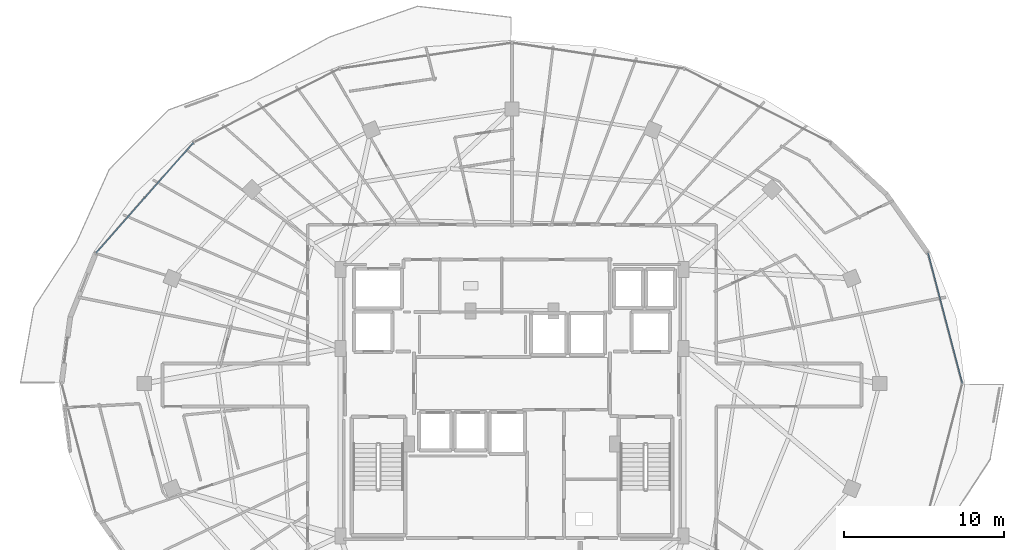
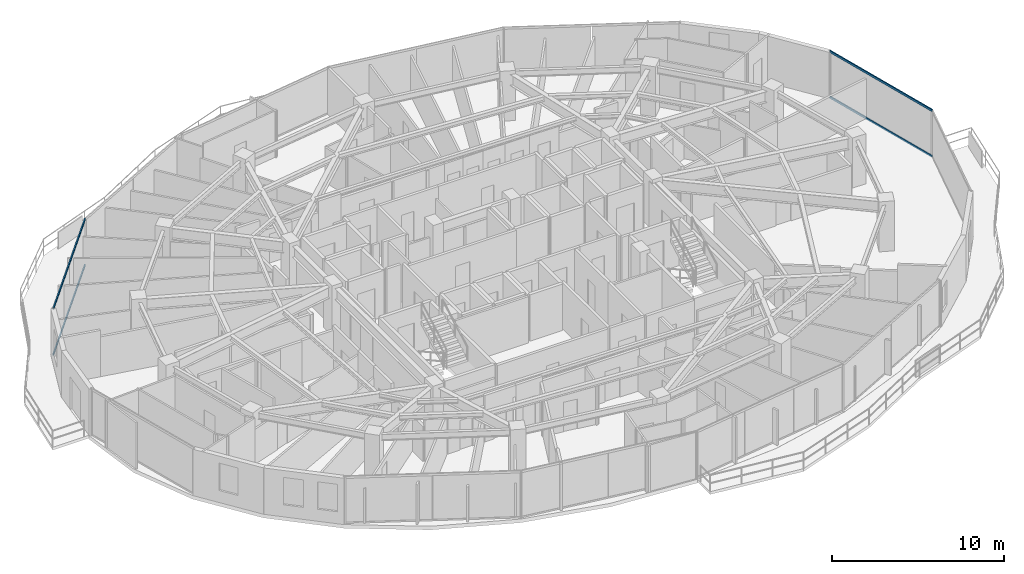
# One storey, part 17 of 34: 4 members, 2 elements without a shape of their own.
"""IFC4 building model written with IfcOpenShell, lengths in metres."""

from ifc_helpers import new_model, si_unit, direction, frame, origin, origin_2d, place, context, subcontext, project, spatial, hollow_rectangle, extrude, material, material_profile, profile_set, type_object, element, aggregate, save


model = new_model("IFC4")

# Units and contexts
model_context = context("Model", 3, precision=1e-05, world=origin(), true_north=direction((0.0, 1.0)))
body_context = subcontext(model_context, "Body", "Model", "MODEL_VIEW")
ifc_project = project(units=[si_unit("LENGTHUNIT", "METRE"), si_unit("AREAUNIT", "SQUARE_METRE"), si_unit("VOLUMEUNIT", "CUBIC_METRE"), si_unit("PLANEANGLEUNIT", "RADIAN"), si_unit("MASSUNIT", "GRAM", prefix="KILO")], contexts=[model_context])

# Site, building, storey
site_placement = place(None, origin())
site = spatial("IfcSite", under=ifc_project, at=site_placement, CompositionType="ELEMENT")
building_placement = place(site_placement, origin())
building = spatial("IfcBuilding", under=site, at=building_placement, Name="Vorneva Point Tower", CompositionType="ELEMENT")
storey_placement = place(building_placement, frame((0.0, 0.0, 210.75)))
storey = spatial("IfcBuildingStorey", under=building, at=storey_placement, Name="L57", CompositionType="ELEMENT", Elevation=210.75)

# Curtain wall, members
ifc_material = material(Name="Pale anodised aluminium", Category="aluminium")
curtain_wall_type = type_object("IfcCurtainWallType", Name="CW-RES-SYS", PredefinedType="NOTDEFINED", material=ifc_material)
curtain_wall_1_placement = place(storey_placement, origin())
curtain_wall_1 = element("IfcCurtainWall", 1, at=curtain_wall_1_placement, inside=storey, type_object=curtain_wall_type, Name="L57 Unitised Curtain Wall CW-L57-R01", PredefinedType="NOTDEFINED")
ifc_material_profile = material_profile(ifc_material, hollow_rectangle(XDim=0.074951171875, YDim=0.14990234375, WallThickness=0.00390625, at=origin_2d()), Name="AL-TRN 150x75x4")
ifc_profile_set = profile_set([ifc_material_profile], Name="Pale anodised aluminium")
member_type = type_object("IfcMemberType", Name="CW-TRN-150", PredefinedType="USERDEFINED", material=ifc_profile_set)
member_1_placement = place(storey_placement, frame((66.22998046875, 26.0, 0.02001953125), z_axis=(-0.254362431281, 0.967108966742, 0.0), x_axis=(-0.967108966742, -0.254362431281, 0.0)))
member_1 = element("IfcMember", 2, at=member_1_placement, type_object=member_type, Name="CW-L57-R01 Transom 02.1", ObjectType="TRANSOM", PredefinedType="USERDEFINED", context=body_context, shape_type="SweptSolid", body=[
    extrude(hollow_rectangle(XDim=0.074951171875, YDim=0.14990234375, WallThickness=0.00390625, at=origin_2d()), origin(), (0.0, 0.0, 1.0), 8.4482421875),
])
member_2_placement = place(storey_placement, frame((66.22998046875, 26.0, 3.27001953125), z_axis=(-0.254362431281, 0.967108966742, 0.0), x_axis=(-0.967108966742, -0.254362431281, 0.0)))
member_2 = element("IfcMember", 3, at=member_2_placement, type_object=member_type, Name="CW-L57-R01 Transom 02.2", ObjectType="TRANSOM", PredefinedType="USERDEFINED", context=body_context, shape_type="SweptSolid", body=[
    extrude(hollow_rectangle(XDim=0.074951171875, YDim=0.14990234375, WallThickness=0.00390625, at=origin_2d()), origin(), (0.0, 0.0, 1.0), 8.4482421875),
])
aggregate(curtain_wall_1, [member_1, member_2])

curtain_wall_2_placement = place(storey_placement, origin())
curtain_wall_2 = element("IfcCurtainWall", 4, at=curtain_wall_2_placement, inside=storey, type_object=curtain_wall_type, Name="L57 Unitised Curtain Wall CW-L57-R02", PredefinedType="NOTDEFINED")
member_3_placement = place(storey_placement, frame((18.038330078125, 41.0966796875, 0.02001953125), z_axis=(-0.662106383869, -0.749409858782, 0.0), x_axis=(0.749409858782, -0.662106383869, 0.0)))
member_3 = element("IfcMember", 5, at=member_3_placement, type_object=member_type, Name="CW-L57-R02 Transom 05.1", ObjectType="TRANSOM", PredefinedType="USERDEFINED", context=body_context, shape_type="SweptSolid", body=[
    extrude(hollow_rectangle(XDim=0.074951171875, YDim=0.14990234375, WallThickness=0.00390625, at=origin_2d()), origin(), (0.0, 0.0, 1.0), 9.2421875),
])
member_4_placement = place(storey_placement, frame((18.038330078125, 41.0966796875, 3.27001953125), z_axis=(-0.662106383869, -0.749409858782, 0.0), x_axis=(0.749409858782, -0.662106383869, 0.0)))
member_4 = element("IfcMember", 6, at=member_4_placement, type_object=member_type, Name="CW-L57-R02 Transom 05.2", ObjectType="TRANSOM", PredefinedType="USERDEFINED", context=body_context, shape_type="SweptSolid", body=[
    extrude(hollow_rectangle(XDim=0.074951171875, YDim=0.14990234375, WallThickness=0.00390625, at=origin_2d()), origin(), (0.0, 0.0, 1.0), 9.2421875),
])
aggregate(curtain_wall_2, [member_3, member_4])

save(model, "model.ifc")
